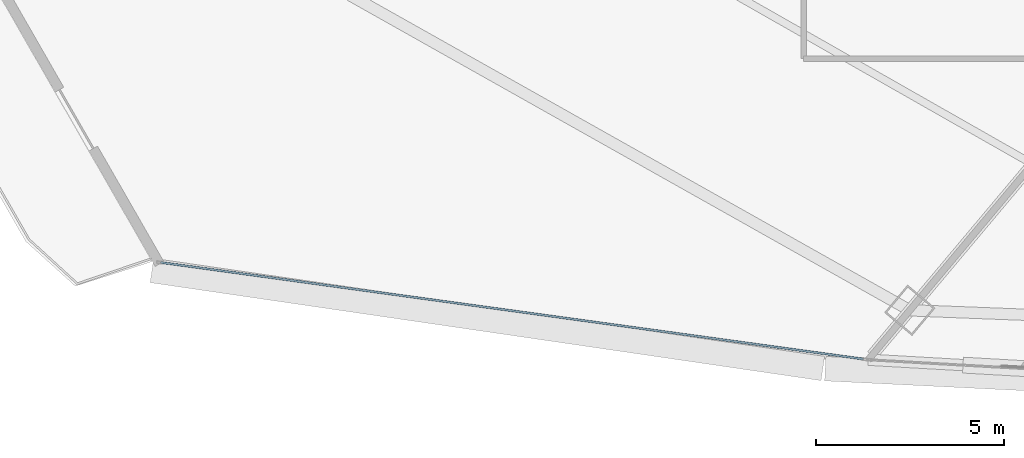
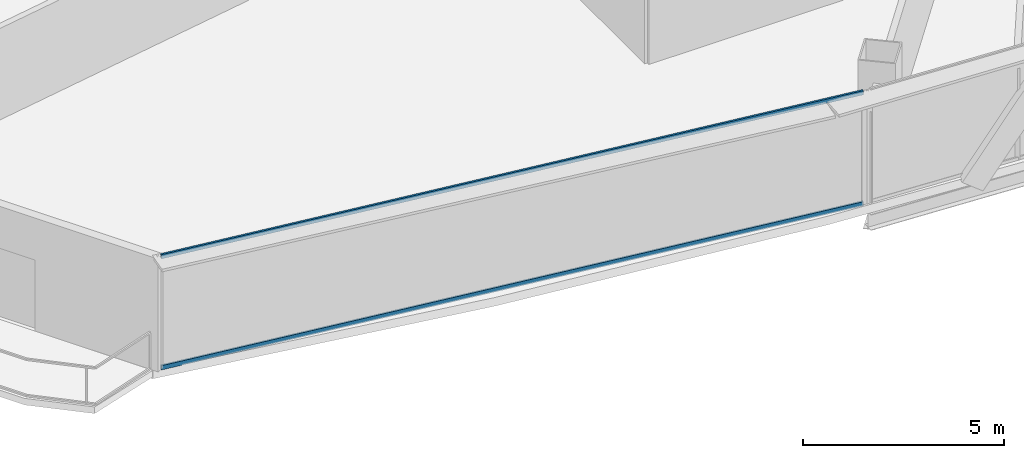
# One storey, part 3 of 39: 2 members, 1 element without a shape of its own.
"""IFC4 building model written with IfcOpenShell, lengths in metres."""

from ifc_helpers import new_model, si_unit, direction, frame, origin, origin_2d, place, context, subcontext, project, spatial, hollow_rectangle, extrude, source, transform, mapped, material, layer, layer_set, material_profile, profile_set, type_object, element, aggregate, save


model = new_model("IFC4")

# Units and contexts
model_context = context("Model", 3, precision=1e-05, world=origin(), true_north=direction((0.0, 1.0)))
body_context = subcontext(model_context, "Body", "Model", "MODEL_VIEW")
ifc_project = project(units=[si_unit("LENGTHUNIT", "METRE"), si_unit("AREAUNIT", "SQUARE_METRE"), si_unit("VOLUMEUNIT", "CUBIC_METRE"), si_unit("PLANEANGLEUNIT", "RADIAN"), si_unit("MASSUNIT", "GRAM", prefix="KILO"), si_unit("THERMODYNAMICTEMPERATUREUNIT", "KELVIN"), si_unit("POWERUNIT", "WATT")], contexts=[model_context])

# Site, building, storey
site_placement = place(None, origin())
site = spatial("IfcSite", under=ifc_project, at=site_placement, CompositionType="ELEMENT")
building_placement = place(site_placement, origin())
building = spatial("IfcBuilding", under=site, at=building_placement, Name="Yunzhuo Pagoda Commons", CompositionType="ELEMENT")
storey_placement = place(building_placement, frame((0.0, 0.0, 148.22998046875)))
storey = spatial("IfcBuildingStorey", under=building, at=storey_placement, Name="L37", CompositionType="ELEMENT", Elevation=148.22998046875)

# Curtain wall, members
ifc_material = material(Name="Anodized aluminium 6063-T6", Category="aluminium")
ifc_layer = layer(ifc_material, 0.14990234375)
ifc_layer_set = layer_set([ifc_layer], Name="Anodized aluminium 6063-T6")
curtain_wall_type = type_object("IfcCurtainWallType", Name="CW-MID Mid-Zone Ribbon Curtain Wall", PredefinedType="NOTDEFINED", material=ifc_layer_set)
curtain_wall_placement = place(storey_placement, origin())
curtain_wall = element("IfcCurtainWall", 1, at=curtain_wall_placement, inside=storey, type_object=curtain_wall_type, Name="L37 curtain wall CW-L37-F1B1", PredefinedType="NOTDEFINED")
ifc_material_profile = material_profile(ifc_material, hollow_rectangle(XDim=0.054931640625, YDim=0.1298828125, WallThickness=0.00341796875, at=origin_2d()), Name="Anodized aluminium 6063-T6")
ifc_profile_set = profile_set([ifc_material_profile], Name="Anodized aluminium 6063-T6")
member_type = type_object("IfcMemberType", Name="CW-MID-T Transom RHS 130x55x3.5", PredefinedType="USERDEFINED", material=ifc_profile_set)
shared_shape = source(origin(), body_context, "Body", "SweptSolid", [
    extrude(hollow_rectangle(XDim=0.054931640625, YDim=0.1298828125, WallThickness=0.00341796875, at=origin_2d()), origin(), (0.0, 0.0, 1.0), 18.8115234375),
])
member_1_placement = place(storey_placement, frame((12.54443359375, 16.395751953125, 0.027587890625), z_axis=(0.99067870849, -0.136219295783, 0.0), x_axis=(0.136219295783, 0.99067870849, 0.0)))
member_1 = element("IfcMember", 2, at=member_1_placement, type_object=member_type, Name="CW transom 1.1", ObjectType="TRANSOM", PredefinedType="USERDEFINED", context=body_context, shape_type="MappedRepresentation", body=[
    mapped(shared_shape, transform((0.0, 0.0, 0.0), scale=1.0)),
])
member_2_placement = place(storey_placement, frame((12.54443359375, 16.395751953125, 3.392578125), z_axis=(0.99067870849, -0.136219295783, 0.0), x_axis=(0.136219295783, 0.99067870849, 0.0)))
member_2 = element("IfcMember", 3, at=member_2_placement, type_object=member_type, Name="CW transom 1.2", ObjectType="TRANSOM", PredefinedType="USERDEFINED", context=body_context, shape_type="MappedRepresentation", body=[
    mapped(shared_shape, transform((0.0, 0.0, 0.0), scale=1.0)),
])
aggregate(curtain_wall, [member_1, member_2])

save(model, "model.ifc")
